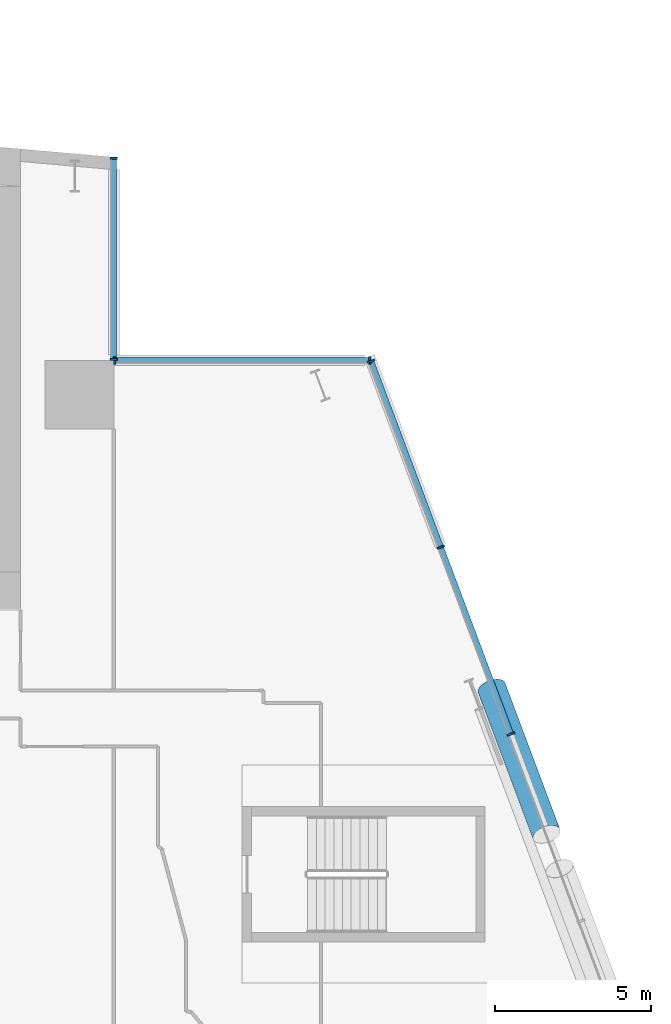
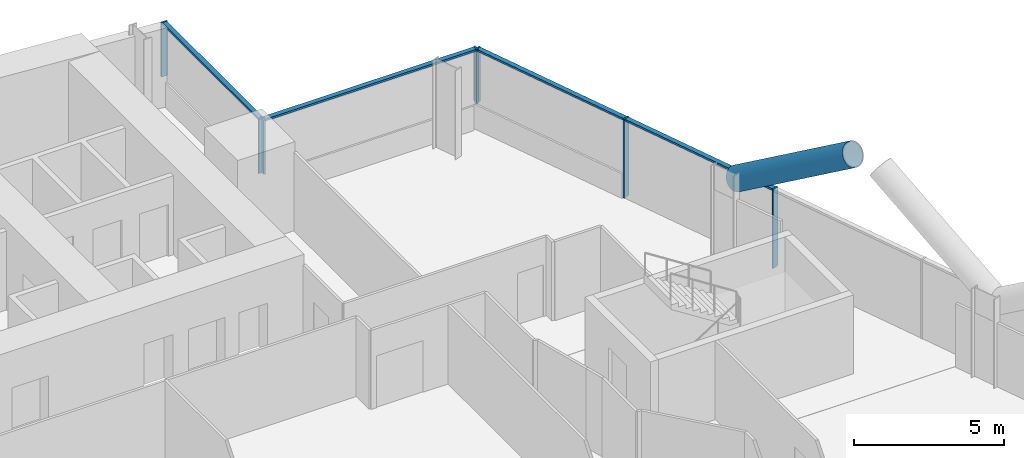
# One storey, part 10 of 27: 12 members, 3 elements without a shape of their own.
"""IFC4 building model written with IfcOpenShell, lengths in metres."""

from ifc_helpers import new_model, si_unit, direction, frame, origin, origin_2d, place, context, subcontext, project, spatial, rectangle, hollow_circle, extrude, material, material_profile, profile_set, type_object, element, aggregate, save


model = new_model("IFC4")

# Units and contexts
model_context = context("Model", 3, precision=1e-05, world=origin(), true_north=direction((0.0, 1.0)))
body_context = subcontext(model_context, "Body", "Model", "MODEL_VIEW")
ifc_project = project(units=[si_unit("LENGTHUNIT", "METRE"), si_unit("AREAUNIT", "SQUARE_METRE"), si_unit("VOLUMEUNIT", "CUBIC_METRE"), si_unit("PLANEANGLEUNIT", "RADIAN"), si_unit("MASSUNIT", "GRAM", prefix="KILO")], contexts=[model_context])

# Site, building, storey
site_placement = place(None, origin())
site = spatial("IfcSite", under=ifc_project, at=site_placement, CompositionType="ELEMENT")
building_placement = place(site_placement, origin())
building = spatial("IfcBuilding", under=site, at=building_placement, Name="Wharfspan Tower", CompositionType="ELEMENT")
storey_placement = place(building_placement, frame((0.0, 0.0, 73.899902)))
storey = spatial("IfcBuildingStorey", under=building, at=storey_placement, Name="L15", CompositionType="ELEMENT", Elevation=73.899902)

# Curtain wall, members
ifc_material_1 = material(Name="Aluminium 6063-T6", Category="aluminium")
curtain_wall_type = type_object("IfcCurtainWallType", Name="CURTAIN WALL PROW AND END", PredefinedType="NOTDEFINED", material=ifc_material_1)
curtain_wall_1_placement = place(storey_placement, origin())
curtain_wall_1 = element("IfcCurtainWall", 1, at=curtain_wall_1_placement, inside=storey, type_object=curtain_wall_type, Name="Curtain wall E", PredefinedType="NOTDEFINED")
ifc_material_profile_1 = material_profile(ifc_material_1, rectangle(XDim=0.23999, YDim=0.060059, at=origin_2d()))
ifc_profile_set_1 = profile_set([ifc_material_profile_1], Name="Aluminium 6063-T6")
member_type_1 = type_object("IfcMemberType", Name="MULLION PROW AND END 60x240", PredefinedType="MULLION", material=ifc_profile_set_1)
member_1_placement = place(storey_placement, frame((80.75, 30.0, 0.0), z_axis=(0.0, 0.0, 1.0), x_axis=(-0.936328, -0.351123, 0.0)))
member_1 = element("IfcMember", 2, at=member_1_placement, type_object=member_type_1, Name="Curtain wall E mullion 6", PredefinedType="MULLION", context=body_context, shape_type="SweptSolid", body=[
    extrude(rectangle(XDim=0.23999, YDim=0.060059, at=origin_2d()), origin(), (0.0, 0.0, 1.0), 3.200195),
])
member_2_placement = place(storey_placement, frame((78.5, 36.0, 0.0), z_axis=(0.0, 0.0, 1.0), x_axis=(-0.936328, -0.351123, 0.0)))
member_2 = element("IfcMember", 3, at=member_2_placement, type_object=member_type_1, Name="Curtain wall E mullion 7", PredefinedType="MULLION", context=body_context, shape_type="SweptSolid", body=[
    extrude(rectangle(XDim=0.23999, YDim=0.060059, at=origin_2d()), origin(), (0.0, 0.0, 1.0), 3.200195),
])
member_3_placement = place(storey_placement, frame((76.260498, 41.971924, 1.0), z_axis=(0.0, 0.0, 1.0), x_axis=(-0.936328, -0.351123, 0.0)))
member_3 = element("IfcMember", 4, at=member_3_placement, type_object=member_type_1, Name="Curtain wall E mullion 8", PredefinedType="MULLION", context=body_context, shape_type="SweptSolid", body=[
    extrude(rectangle(XDim=0.23999, YDim=0.060059, at=origin_2d()), origin(), (0.0, 0.0, 1.0), 2.200195),
])

curtain_wall_2_placement = place(storey_placement, origin())
curtain_wall_2 = element("IfcCurtainWall", 5, at=curtain_wall_2_placement, inside=storey, type_object=curtain_wall_type, Name="Curtain wall NRE-H", PredefinedType="NOTDEFINED")
member_4_placement = place(storey_placement, frame((76.219971, 42.0, 1.0), z_axis=(0.0, 0.0, 1.0), x_axis=(0.0, -1.0, 0.0)))
member_4 = element("IfcMember", 6, at=member_4_placement, type_object=member_type_1, Name="Curtain wall NRE-H mullion 1", PredefinedType="MULLION", context=body_context, shape_type="SweptSolid", body=[
    extrude(rectangle(XDim=0.23999, YDim=0.060059, at=origin_2d()), origin(), (0.0, 0.0, 1.0), 2.200195),
])
member_5_placement = place(storey_placement, frame((68.030029, 42.0, 1.0), z_axis=(0.0, 0.0, 1.0), x_axis=(0.0, -1.0, 0.0)))
member_5 = element("IfcMember", 7, at=member_5_placement, type_object=member_type_1, Name="Curtain wall NRE-H mullion 2", PredefinedType="MULLION", context=body_context, shape_type="SweptSolid", body=[
    extrude(rectangle(XDim=0.23999, YDim=0.060059, at=origin_2d()), origin(), (0.0, 0.0, 1.0), 2.200195),
])

curtain_wall_3_placement = place(storey_placement, origin())
curtain_wall_3 = element("IfcCurtainWall", 8, at=curtain_wall_3_placement, inside=storey, type_object=curtain_wall_type, Name="Curtain wall NRE-V", PredefinedType="NOTDEFINED")
member_6_placement = place(storey_placement, frame((68.0, 42.030029, 1.0), z_axis=(0.0, 0.0, 1.0), x_axis=(-1.0, 0.0, 0.0)))
member_6 = element("IfcMember", 9, at=member_6_placement, type_object=member_type_1, Name="Curtain wall NRE-V mullion 1", PredefinedType="MULLION", context=body_context, shape_type="SweptSolid", body=[
    extrude(rectangle(XDim=0.23999, YDim=0.060059, at=origin_2d()), origin(), (0.0, 0.0, 1.0), 2.200195),
])
member_7_placement = place(storey_placement, frame((68.0, 48.494873, 1.0), z_axis=(0.0, 0.0, 1.0), x_axis=(-1.0, 0.0, 0.0)))
member_7 = element("IfcMember", 10, at=member_7_placement, type_object=member_type_1, Name="Curtain wall NRE-V mullion 2", PredefinedType="MULLION", context=body_context, shape_type="SweptSolid", body=[
    extrude(rectangle(XDim=0.23999, YDim=0.060059, at=origin_2d()), origin(), (0.0, 0.0, 1.0), 2.200195),
])

# Member
ifc_material_2 = material(Name="Steel S460NH", Category="steel")
ifc_material_profile_2 = material_profile(ifc_material_2, hollow_circle(Radius=0.457031, WallThickness=0.040039, at=origin_2d()))
ifc_profile_set_2 = profile_set([ifc_material_profile_2], Name="Steel S460NH")
member_type_2 = type_object("IfcMemberType", Name="Mega brace CHS 914x40", PredefinedType="BRACE", material=ifc_profile_set_2)
member_8_placement = place(storey_placement, frame((80.135986, 31.480713, 2.900146), z_axis=(0.295466, -0.787922, 0.540259), x_axis=(0.936329, 0.351115, -4e-06)))
element("IfcMember", 11, at=member_8_placement, inside=storey, type_object=member_type_2, Name="Mega brace E6 L16 part 3", PredefinedType="BRACE", context=body_context, shape_type="SweptSolid", body=[
    extrude(hollow_circle(Radius=0.457031, WallThickness=0.040039, at=origin_2d()), origin(), (0.0, 0.0, 1.0), 5.955078),
])

ifc_material_profile_3 = material_profile(ifc_material_1, rectangle(XDim=0.179932, YDim=0.080078, at=origin_2d()))
ifc_profile_set_3 = profile_set([ifc_material_profile_3], Name="Aluminium 6063-T6")
member_type_3 = type_object("IfcMemberType", Name="TRANSOM PROW AND END 80x180", PredefinedType="USERDEFINED", material=ifc_profile_set_3)
member_9_placement = place(storey_placement, frame((80.739502, 30.028076, 3.160156), z_axis=(-0.351132, 0.936326, 0.0), x_axis=(-0.936326, -0.351132, 0.0)))
member_9 = element("IfcMember", 12, at=member_9_placement, type_object=member_type_3, Name="Curtain wall E transom 6", ObjectType="TRANSOM", PredefinedType="USERDEFINED", context=body_context, shape_type="SweptSolid", body=[
    extrude(rectangle(XDim=0.179932, YDim=0.080078, at=origin_2d()), origin(), (0.0, 0.0, 1.0), 6.348145),
])

member_10_placement = place(storey_placement, frame((78.489502, 36.028076, 3.160156), z_axis=(-0.351136, 0.936324, 0.0), x_axis=(-0.936324, -0.351136, 0.0)))
member_10 = element("IfcMember", 13, at=member_10_placement, type_object=member_type_3, Name="Curtain wall E transom 7", ObjectType="TRANSOM", PredefinedType="USERDEFINED", context=body_context, shape_type="SweptSolid", body=[
    extrude(rectangle(XDim=0.179932, YDim=0.080078, at=origin_2d()), origin(), (0.0, 0.0, 1.0), 6.318115),
])

aggregate(curtain_wall_1, [member_1, member_2, member_3, member_9, member_10])

member_11_placement = place(storey_placement, frame((76.189941, 42.0, 3.160156), z_axis=(-1.0, 0.0, 0.0), x_axis=(0.0, -1.0, 0.0)))
member_11 = element("IfcMember", 14, at=member_11_placement, type_object=member_type_3, Name="Curtain wall NRE-H transom 1", ObjectType="TRANSOM", PredefinedType="USERDEFINED", context=body_context, shape_type="SweptSolid", body=[
    extrude(rectangle(XDim=0.179932, YDim=0.080078, at=origin_2d()), origin(), (0.0, 0.0, 1.0), 8.129883),
])

aggregate(curtain_wall_2, [member_4, member_5, member_11])

member_12_placement = place(storey_placement, frame((68.0, 42.060059, 3.160156), z_axis=(0.0, 1.0, 0.0), x_axis=(-1.0, 0.0, 0.0)))
member_12 = element("IfcMember", 15, at=member_12_placement, type_object=member_type_3, Name="Curtain wall NRE-V transom 1", ObjectType="TRANSOM", PredefinedType="USERDEFINED", context=body_context, shape_type="SweptSolid", body=[
    extrude(rectangle(XDim=0.179932, YDim=0.080078, at=origin_2d()), origin(), (0.0, 0.0, 1.0), 6.404785),
])

aggregate(curtain_wall_3, [member_6, member_7, member_12])

save(model, "model.ifc")
